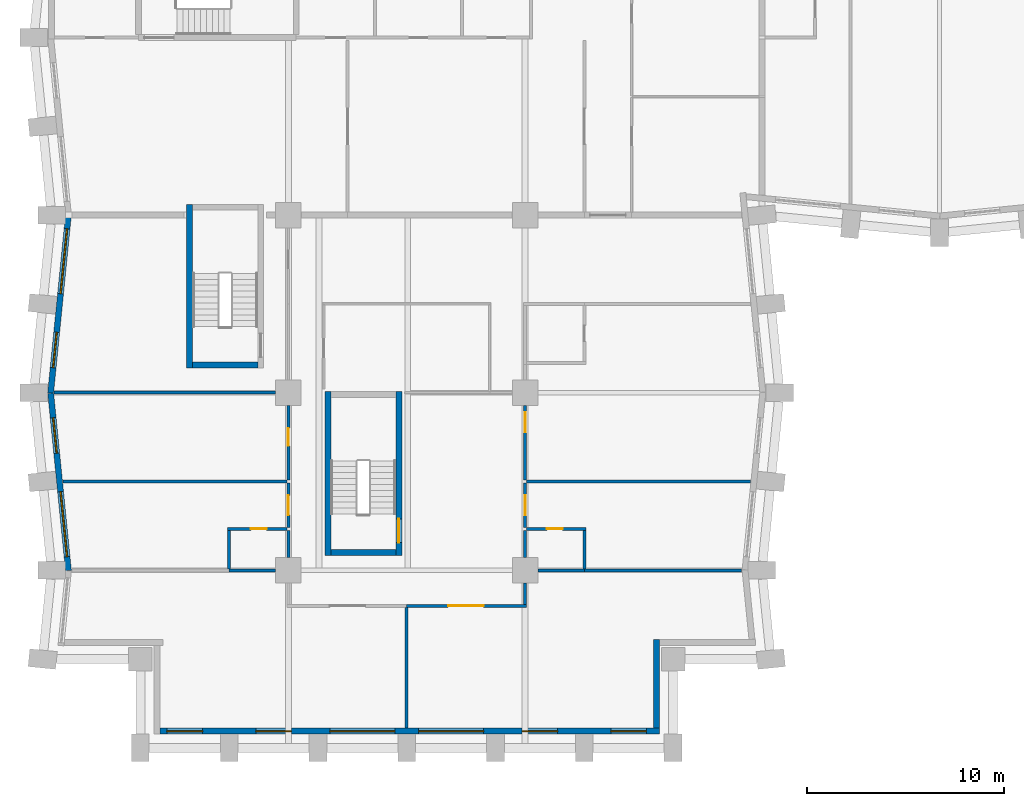
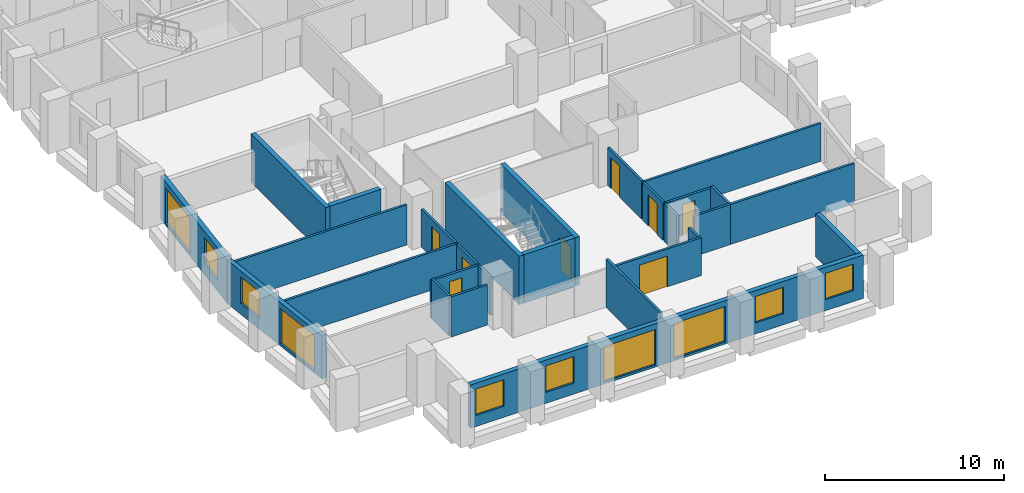
# One storey, part 3 of 12: 28 walls, 10 windows, 8 doors, 18 openings.
"""IFC4 building model written with IfcOpenShell, lengths in metres."""

from ifc_helpers import new_model, si_unit, direction, frame, frame_2d, origin, place, context, subcontext, project, spatial, rectangle, extrude, material, layer, layer_set, type_object, element, fill, save


model = new_model("IFC4")

# Units and contexts
model_context = context("Model", 3, precision=1e-05, world=origin(), true_north=direction((0.0, 1.0)))
body_context = subcontext(model_context, "Body", "Model", "MODEL_VIEW")
ifc_project = project(units=[si_unit("LENGTHUNIT", "METRE"), si_unit("AREAUNIT", "SQUARE_METRE"), si_unit("VOLUMEUNIT", "CUBIC_METRE"), si_unit("PLANEANGLEUNIT", "RADIAN"), si_unit("MASSUNIT", "GRAM", prefix="KILO")], contexts=[model_context])

# Site, building, storey
site_placement = place(None, origin())
site = spatial("IfcSite", under=ifc_project, at=site_placement, CompositionType="ELEMENT")
building_placement = place(site_placement, origin())
building = spatial("IfcBuilding", under=site, at=building_placement, Name="Brondeck Convention Tower", CompositionType="ELEMENT")
storey_placement = place(building_placement, frame((0.0, 0.0, 62.699951171875)))
storey = spatial("IfcBuildingStorey", under=building, at=storey_placement, Name="L13", CompositionType="ELEMENT", Elevation=62.699951171875)

# Wall, openings, windows
ifc_material_1 = material(Name="Precast concrete C50/60 bronze finish", Category="concrete")
ifc_layer_1 = layer(ifc_material_1, 0.070068359375, Name="Bronze precast facing")
ifc_material_2 = material(Name="Mineral wool")
ifc_layer_2 = layer(ifc_material_2, 0.159912109375, Name="Insulation")
ifc_material_3 = material(Name="Concrete C35/45", Category="concrete")
ifc_layer_3 = layer(ifc_material_3, 0.070068359375, Name="Backing")
ifc_layer_set_1 = layer_set([ifc_layer_1, ifc_layer_2, ifc_layer_3], Name="External infill wall, precast concrete C50/60 bronze facing")
wall_type_1 = type_object("IfcWallType", Name="External infill wall, precast concrete C50/60 bronze facing", PredefinedType="SOLIDWALL", material=ifc_layer_set_1)
wall_1_placement = place(storey_placement, frame((30.800048828125, 0.85009765625, 0.0), z_axis=(0.0, 0.0, 1.0), x_axis=(-1.0, 0.0, 0.0)))
wall_1 = element("IfcWall", 1, at=wall_1_placement, inside=storey, type_object=wall_type_1, Name="ENV-EW-L13-P0-B-S0-01", PredefinedType="SOLIDWALL", context=body_context, shape_type="SweptSolid", body=[
    extrude(rectangle(XDim=25.300048828125, YDim=0.300048828125, at=frame_2d((12.64990234375, 0.0))), origin(), (0.0, 0.0, 1.0), 2.949951171875),
])
opening_1_placement = place(wall_1_placement, frame((0.64990234375, 0.0, 0.75)))
opening_1 = element("IfcOpeningElement", 2, at=opening_1_placement, cuts=wall_1, Name="Opening W10", PredefinedType="OPENING", context=body_context, shape_type="SweptSolid", body=[
    extrude(rectangle(XDim=1.800048828125, YDim=1.800048828125, at=frame_2d((0.89990234375, 0.89990234375))), frame((0.0, 0.159912109375, 0.0), z_axis=(0.0, -1.0, 0.0), x_axis=(1.0, 0.0, 0.0)), (0.0, 0.0, 1.0), 0.320068359375),
])
opening_2_placement = place(wall_1_placement, frame((5.14990234375, 0.0, 0.75)))
opening_2 = element("IfcOpeningElement", 3, at=opening_2_placement, cuts=wall_1, Name="Opening W10", PredefinedType="OPENING", context=body_context, shape_type="SweptSolid", body=[
    extrude(rectangle(XDim=1.800048828125, YDim=1.800048828125, at=frame_2d((0.89990234375, 0.89990234375))), frame((0.0, 0.159912109375, 0.0), z_axis=(0.0, -1.0, 0.0), x_axis=(1.0, 0.0, 0.0)), (0.0, 0.0, 1.0), 0.320068359375),
])
opening_3_placement = place(wall_1_placement, frame((8.89990234375, 0.0, 0.14990234375)))
opening_3 = element("IfcOpeningElement", 4, at=opening_3_placement, cuts=wall_1, Name="Opening W9", PredefinedType="OPENING", context=body_context, shape_type="SweptSolid", body=[
    extrude(rectangle(XDim=3.300048828125, YDim=2.39990234375, at=frame_2d((1.64990234375, 1.199951171875))), frame((0.0, 0.159912109375, 0.0), z_axis=(0.0, -1.0, 0.0), x_axis=(1.0, 0.0, 0.0)), (0.0, 0.0, 1.0), 0.320068359375),
])
opening_4_placement = place(wall_1_placement, frame((13.39990234375, 0.0, 0.14990234375)))
opening_4 = element("IfcOpeningElement", 5, at=opening_4_placement, cuts=wall_1, Name="Opening W9", PredefinedType="OPENING", context=body_context, shape_type="SweptSolid", body=[
    extrude(rectangle(XDim=3.300048828125, YDim=2.39990234375, at=frame_2d((1.64990234375, 1.199951171875))), frame((0.0, 0.159912109375, 0.0), z_axis=(0.0, -1.0, 0.0), x_axis=(1.0, 0.0, 0.0)), (0.0, 0.0, 1.0), 0.320068359375),
])
opening_5_placement = place(wall_1_placement, frame((18.64990234375, 0.0, 0.75)))
opening_5 = element("IfcOpeningElement", 6, at=opening_5_placement, cuts=wall_1, Name="Opening W10", PredefinedType="OPENING", context=body_context, shape_type="SweptSolid", body=[
    extrude(rectangle(XDim=1.800048828125, YDim=1.800048828125, at=frame_2d((0.89990234375, 0.89990234375))), frame((0.0, 0.159912109375, 0.0), z_axis=(0.0, -1.0, 0.0), x_axis=(1.0, 0.0, 0.0)), (0.0, 0.0, 1.0), 0.320068359375),
])
opening_6_placement = place(wall_1_placement, frame((23.14990234375, 0.0, 0.75)))
opening_6 = element("IfcOpeningElement", 7, at=opening_6_placement, cuts=wall_1, Name="Opening W10", PredefinedType="OPENING", context=body_context, shape_type="SweptSolid", body=[
    extrude(rectangle(XDim=1.800048828125, YDim=1.800048828125, at=frame_2d((0.89990234375, 0.89990234375))), frame((0.0, 0.159912109375, 0.0), z_axis=(0.0, -1.0, 0.0), x_axis=(1.0, 0.0, 0.0)), (0.0, 0.0, 1.0), 0.320068359375),
])
ifc_material_4 = material(Name="Bronze tinted double glazing", Category="glass")
window_type_1 = type_object("IfcWindowType", Name="Glazed flute window, bronze tinted", PartitioningType="SINGLE_PANEL", PredefinedType="WINDOW", material=ifc_material_4)
window_1_placement = place(opening_3_placement, origin())
window_1 = element("IfcWindow", 8, at=window_1_placement, inside=storey, type_object=window_type_1, Name="ENV-WN-L13-P0-B-S0-04", OverallHeight=2.39990234375, OverallWidth=3.300048828125, PartitioningType="SINGLE_PANEL", PredefinedType="WINDOW", context=body_context, shape_type="SweptSolid", body=[
    extrude(rectangle(XDim=3.300048828125, YDim=2.39990234375, at=frame_2d((1.64990234375, 1.199951171875))), frame((0.0, 0.030029296875, 0.0), z_axis=(0.0, -1.0, 0.0), x_axis=(1.0, 0.0, 0.0)), (0.0, 0.0, 1.0), 0.06005859375),
])
fill(opening_3, window_1)
window_2_placement = place(opening_4_placement, origin())
window_2 = element("IfcWindow", 9, at=window_2_placement, inside=storey, type_object=window_type_1, Name="ENV-WN-L13-P0-B-S0-03", OverallHeight=2.39990234375, OverallWidth=3.300048828125, PartitioningType="SINGLE_PANEL", PredefinedType="WINDOW", context=body_context, shape_type="SweptSolid", body=[
    extrude(rectangle(XDim=3.300048828125, YDim=2.39990234375, at=frame_2d((1.64990234375, 1.199951171875))), frame((0.0, 0.030029296875, 0.0), z_axis=(0.0, -1.0, 0.0), x_axis=(1.0, 0.0, 0.0)), (0.0, 0.0, 1.0), 0.06005859375),
])
fill(opening_4, window_2)
window_type_2 = type_object("IfcWindowType", Name="Punched window, bronze tinted", PartitioningType="SINGLE_PANEL", PredefinedType="WINDOW", material=ifc_material_4)
window_3_placement = place(opening_1_placement, origin())
window_3 = element("IfcWindow", 10, at=window_3_placement, inside=storey, type_object=window_type_2, Name="ENV-WN-L13-P0-B-S0-06", OverallHeight=1.800048828125, OverallWidth=1.800048828125, PartitioningType="SINGLE_PANEL", PredefinedType="WINDOW", context=body_context, shape_type="SweptSolid", body=[
    extrude(rectangle(XDim=1.800048828125, YDim=1.800048828125, at=frame_2d((0.89990234375, 0.89990234375))), frame((0.0, 0.030029296875, 0.0), z_axis=(0.0, -1.0, 0.0), x_axis=(1.0, 0.0, 0.0)), (0.0, 0.0, 1.0), 0.06005859375),
])
fill(opening_1, window_3)
window_4_placement = place(opening_2_placement, origin())
window_4 = element("IfcWindow", 11, at=window_4_placement, inside=storey, type_object=window_type_2, Name="ENV-WN-L13-P0-B-S0-05", OverallHeight=1.800048828125, OverallWidth=1.800048828125, PartitioningType="SINGLE_PANEL", PredefinedType="WINDOW", context=body_context, shape_type="SweptSolid", body=[
    extrude(rectangle(XDim=1.800048828125, YDim=1.800048828125, at=frame_2d((0.89990234375, 0.89990234375))), frame((0.0, 0.030029296875, 0.0), z_axis=(0.0, -1.0, 0.0), x_axis=(1.0, 0.0, 0.0)), (0.0, 0.0, 1.0), 0.06005859375),
])
fill(opening_2, window_4)
window_5_placement = place(opening_5_placement, origin())
window_5 = element("IfcWindow", 12, at=window_5_placement, inside=storey, type_object=window_type_2, Name="ENV-WN-L13-P0-B-S0-02", OverallHeight=1.800048828125, OverallWidth=1.800048828125, PartitioningType="SINGLE_PANEL", PredefinedType="WINDOW", context=body_context, shape_type="SweptSolid", body=[
    extrude(rectangle(XDim=1.800048828125, YDim=1.800048828125, at=frame_2d((0.89990234375, 0.89990234375))), frame((0.0, 0.030029296875, 0.0), z_axis=(0.0, -1.0, 0.0), x_axis=(1.0, 0.0, 0.0)), (0.0, 0.0, 1.0), 0.06005859375),
])
fill(opening_5, window_5)
window_6_placement = place(opening_6_placement, origin())
window_6 = element("IfcWindow", 13, at=window_6_placement, inside=storey, type_object=window_type_2, Name="ENV-WN-L13-P0-B-S0-01", OverallHeight=1.800048828125, OverallWidth=1.800048828125, PartitioningType="SINGLE_PANEL", PredefinedType="WINDOW", context=body_context, shape_type="SweptSolid", body=[
    extrude(rectangle(XDim=1.800048828125, YDim=1.800048828125, at=frame_2d((0.89990234375, 0.89990234375))), frame((0.0, 0.030029296875, 0.0), z_axis=(0.0, -1.0, 0.0), x_axis=(1.0, 0.0, 0.0)), (0.0, 0.0, 1.0), 0.06005859375),
])
fill(opening_6, window_6)

# Wall
wall_2_placement = place(storey_placement, frame((30.64990234375, 5.5, 0.0), z_axis=(0.0, 0.0, 1.0), x_axis=(0.0, -1.0, 0.0)))
element("IfcWall", 14, at=wall_2_placement, inside=storey, type_object=wall_type_1, Name="ENV-EW-L13-P0-NC-SEB0-01", PredefinedType="SOLIDWALL", context=body_context, shape_type="SweptSolid", body=[
    extrude(rectangle(XDim=4.501953125, YDim=0.300048828125, at=frame_2d((2.2509765625, 0.0))), origin(), (0.0, 0.0, 1.0), 2.949951171875),
])

# Wall, openings, windows
wall_3_placement = place(storey_placement, frame((-0.04736328125, 17.985107421875, 0.0), z_axis=(0.0, 0.0, 1.0), x_axis=(0.099522457379, 0.995035316196, 0.0)))
wall_3 = element("IfcWall", 15, at=wall_3_placement, inside=storey, type_object=wall_type_1, Name="ENV-EW-L13-P0-B-W-08", PredefinedType="SOLIDWALL", context=body_context, shape_type="SweptSolid", body=[
    extrude(rectangle(XDim=9.030029296875, YDim=0.300048828125, at=frame_2d((4.51513671875, 0.0))), origin(), (0.0, 0.0, 1.0), 2.949951171875),
])
opening_7_placement = place(wall_3_placement, frame((1.291259765625, 0.0, 0.75)))
opening_7 = element("IfcOpeningElement", 16, at=opening_7_placement, cuts=wall_3, Name="Opening W10", PredefinedType="OPENING", context=body_context, shape_type="SweptSolid", body=[
    extrude(rectangle(XDim=1.800048828125, YDim=1.800048828125, at=frame_2d((0.89990234375, 0.89990234375))), frame((0.0, 0.159912109375, 0.0), z_axis=(0.0, -1.0, 0.0), x_axis=(1.0, 0.0, 0.0)), (0.0, 0.0, 1.0), 0.320068359375),
])
opening_8_placement = place(wall_3_placement, frame((5.063720703125, 0.0, 0.14990234375)))
opening_8 = element("IfcOpeningElement", 17, at=opening_8_placement, cuts=wall_3, Name="Opening W9", PredefinedType="OPENING", context=body_context, shape_type="SweptSolid", body=[
    extrude(rectangle(XDim=3.300048828125, YDim=2.39990234375, at=frame_2d((1.64990234375, 1.199951171875))), frame((0.0, 0.159912109375, 0.0), z_axis=(0.0, -1.0, 0.0), x_axis=(1.0, 0.0, 0.0)), (0.0, 0.0, 1.0), 0.320068359375),
])
window_7_placement = place(opening_8_placement, origin())
window_7 = element("IfcWindow", 18, at=window_7_placement, inside=storey, type_object=window_type_1, Name="ENV-WN-L13-P0-B-W-08", OverallHeight=2.39990234375, OverallWidth=3.300048828125, PartitioningType="SINGLE_PANEL", PredefinedType="WINDOW", context=body_context, shape_type="SweptSolid", body=[
    extrude(rectangle(XDim=3.300048828125, YDim=2.39990234375, at=frame_2d((1.64990234375, 1.199951171875))), frame((0.0, 0.030029296875, 0.0), z_axis=(0.0, -1.0, 0.0), x_axis=(1.0, 0.0, 0.0)), (0.0, 0.0, 1.0), 0.06005859375),
])
fill(opening_8, window_7)
window_8_placement = place(opening_7_placement, origin())
window_8 = element("IfcWindow", 19, at=window_8_placement, inside=storey, type_object=window_type_2, Name="ENV-WN-L13-P0-B-W-09", OverallHeight=1.800048828125, OverallWidth=1.800048828125, PartitioningType="SINGLE_PANEL", PredefinedType="WINDOW", context=body_context, shape_type="SweptSolid", body=[
    extrude(rectangle(XDim=1.800048828125, YDim=1.800048828125, at=frame_2d((0.89990234375, 0.89990234375))), frame((0.0, 0.030029296875, 0.0), z_axis=(0.0, -1.0, 0.0), x_axis=(1.0, 0.0, 0.0)), (0.0, 0.0, 1.0), 0.06005859375),
])
fill(opening_7, window_8)

wall_4_placement = place(storey_placement, frame((0.855712890625, 8.985107421875, 0.0), z_axis=(0.0, 0.0, 1.0), x_axis=(-0.099495688264, 0.995037993253, 0.0)))
wall_4 = element("IfcWall", 20, at=wall_4_placement, inside=storey, type_object=wall_type_1, Name="ENV-EW-L13-P0-B-W-10", PredefinedType="SOLIDWALL", context=body_context, shape_type="SweptSolid", body=[
    extrude(rectangle(XDim=9.030029296875, YDim=0.300048828125, at=frame_2d((4.51513671875, 0.0))), origin(), (0.0, 0.0, 1.0), 2.949951171875),
])
opening_9_placement = place(wall_4_placement, frame((0.711181640625, 0.0, 0.14990234375)))
opening_9 = element("IfcOpeningElement", 21, at=opening_9_placement, cuts=wall_4, Name="Opening W9", PredefinedType="OPENING", context=body_context, shape_type="SweptSolid", body=[
    extrude(rectangle(XDim=3.300048828125, YDim=2.39990234375, at=frame_2d((1.64990234375, 1.199951171875))), frame((0.0, 0.159912109375, 0.0), z_axis=(0.0, -1.0, 0.0), x_axis=(1.0, 0.0, 0.0)), (0.0, 0.0, 1.0), 0.320068359375),
])
opening_10_placement = place(wall_4_placement, frame((5.983642578125, 0.0, 0.75)))
opening_10 = element("IfcOpeningElement", 22, at=opening_10_placement, cuts=wall_4, Name="Opening W10", PredefinedType="OPENING", context=body_context, shape_type="SweptSolid", body=[
    extrude(rectangle(XDim=1.800048828125, YDim=1.800048828125, at=frame_2d((0.89990234375, 0.89990234375))), frame((0.0, 0.159912109375, 0.0), z_axis=(0.0, -1.0, 0.0), x_axis=(1.0, 0.0, 0.0)), (0.0, 0.0, 1.0), 0.320068359375),
])
window_9_placement = place(opening_9_placement, origin())
window_9 = element("IfcWindow", 23, at=window_9_placement, inside=storey, type_object=window_type_1, Name="ENV-WN-L13-P0-B-W-11", OverallHeight=2.39990234375, OverallWidth=3.300048828125, PartitioningType="SINGLE_PANEL", PredefinedType="WINDOW", context=body_context, shape_type="SweptSolid", body=[
    extrude(rectangle(XDim=3.300048828125, YDim=2.39990234375, at=frame_2d((1.64990234375, 1.199951171875))), frame((0.0, 0.030029296875, 0.0), z_axis=(0.0, -1.0, 0.0), x_axis=(1.0, 0.0, 0.0)), (0.0, 0.0, 1.0), 0.06005859375),
])
fill(opening_9, window_9)
window_10_placement = place(opening_10_placement, origin())
window_10 = element("IfcWindow", 24, at=window_10_placement, inside=storey, type_object=window_type_2, Name="ENV-WN-L13-P0-B-W-10", OverallHeight=1.800048828125, OverallWidth=1.800048828125, PartitioningType="SINGLE_PANEL", PredefinedType="WINDOW", context=body_context, shape_type="SweptSolid", body=[
    extrude(rectangle(XDim=1.800048828125, YDim=1.800048828125, at=frame_2d((0.89990234375, 0.89990234375))), frame((0.0, 0.030029296875, 0.0), z_axis=(0.0, -1.0, 0.0), x_axis=(1.0, 0.0, 0.0)), (0.0, 0.0, 1.0), 0.06005859375),
])
fill(opening_10, window_10)

# Wall
ifc_material_5 = material(Name="Double gypsum board acoustic wall")
ifc_layer_4 = layer(ifc_material_5, 0.14990234375)
ifc_layer_set_2 = layer_set([ifc_layer_4], Name="Guest room party wall 150")
wall_type_2 = type_object("IfcWallType", Name="Guest room party wall 150", PredefinedType="PARTITIONING", material=ifc_layer_set_2)
wall_5_placement = place(storey_placement, frame((18.0, 7.125, 0.0), z_axis=(0.0, 0.0, 1.0), x_axis=(0.0, -1.0, 0.0)))
element("IfcWall", 25, at=wall_5_placement, inside=storey, type_object=wall_type_2, Name="FLR-L13-W001", PredefinedType="PARTITIONING", context=body_context, shape_type="SweptSolid", body=[
    extrude(rectangle(XDim=6.10498046875, YDim=0.14990234375, at=frame_2d((3.052490234375, 0.0))), origin(), (0.0, 0.0, 1.0), 3.280029296875),
])

# Wall, opening, door
wall_6_placement = place(storey_placement, frame((24.074951171875, 7.199951171875, 0.0), z_axis=(0.0, 0.0, 1.0), x_axis=(-1.0, 0.0, 0.0)))
wall_6 = element("IfcWall", 26, at=wall_6_placement, inside=storey, type_object=wall_type_2, Name="FLR-L13-W003", PredefinedType="PARTITIONING", context=body_context, shape_type="SweptSolid", body=[
    extrude(rectangle(XDim=6.074951171875, YDim=0.14990234375, at=frame_2d((3.03759765625, 0.0))), origin(), (0.0, 0.0, 1.0), 2.580078125),
])
opening_11_placement = place(wall_6_placement, frame((2.175048828125, 0.0, 0.0)))
opening_11 = element("IfcOpeningElement", 27, at=opening_11_placement, cuts=wall_6, Name="Opening H3-032", PredefinedType="OPENING", context=body_context, shape_type="SweptSolid", body=[
    extrude(rectangle(XDim=1.800048828125, YDim=2.10009765625, at=frame_2d((0.89990234375, 1.050048828125))), frame((0.0, 0.0849609375, 0.0), z_axis=(0.0, -1.0, 0.0), x_axis=(1.0, 0.0, 0.0)), (0.0, 0.0, 1.0), 0.169921875),
])
ifc_material_6 = material(Name="Glazed timber double door", Category="wood")
door_type_1 = type_object("IfcDoorType", Name="Double door 1800", OperationType="DOUBLE_DOOR_SINGLE_SWING", PredefinedType="DOOR", material=ifc_material_6)
door_1_placement = place(opening_11_placement, origin())
door_1 = element("IfcDoor", 28, at=door_1_placement, inside=storey, type_object=door_type_1, Name="Door H3-032", OperationType="DOUBLE_DOOR_SINGLE_SWING", OverallHeight=2.10009765625, OverallWidth=1.800048828125, PredefinedType="DOOR", context=body_context, shape_type="SweptSolid", body=[
    extrude(rectangle(XDim=1.800048828125, YDim=2.10009765625, at=frame_2d((0.89990234375, 1.050048828125))), frame((0.0, 0.02490234375, 0.0), z_axis=(0.0, -1.0, 0.0), x_axis=(1.0, 0.0, 0.0)), (0.0, 0.0, 1.0), 0.050048828125),
])
fill(opening_11, door_1)

# Walls
wall_7_placement = place(storey_placement, frame((24.0, 8.344970703125, 0.0), z_axis=(0.0, 0.0, 1.0), x_axis=(0.0, -1.0, 0.0)))
element("IfcWall", 29, at=wall_7_placement, inside=storey, type_object=wall_type_2, Name="FLR-L13-W005", PredefinedType="PARTITIONING", context=body_context, shape_type="SweptSolid", body=[
    extrude(rectangle(XDim=1.070068359375, YDim=0.14990234375, at=frame_2d((0.53515625, 0.0))), origin(), (0.0, 0.0, 1.0), 2.580078125),
])
for number, where, z_axis, x_axis, name in (
    (30, (11.344970703125, 9.0, 0.0), (0.0, 0.0, 1.0), (-1.0, 0.0, 0.0), "FLR-L13-W007"),
    (31, (27.0, 9.0, 0.0), (0.0, 0.0, 1.0), (-1.0, 0.0, 0.0), "FLR-L13-W008"),
):
    element("IfcWall", number, at=place(storey_placement, frame(where, z_axis=z_axis, x_axis=x_axis)), inside=storey, type_object=wall_type_2, Name=name, PredefinedType="PARTITIONING", context=body_context, shape_type="SweptSolid", body=[
        extrude(rectangle(XDim=2.344970703125, YDim=0.14990234375, at=frame_2d((1.17236328125, 0.0))), origin(), (0.0, 0.0, 1.0), 2.72998046875),
    ])
wall_8_placement = place(storey_placement, frame((34.97509765625, 9.0, 0.0), z_axis=(0.0, 0.0, 1.0), x_axis=(-1.0, 0.0, 0.0)))
element("IfcWall", 32, at=wall_8_placement, inside=storey, type_object=wall_type_2, Name="FLR-L13-W009", PredefinedType="PARTITIONING", context=body_context, shape_type="SweptSolid", body=[
    extrude(rectangle(XDim=7.97509765625, YDim=0.14990234375, at=frame_2d((3.987548828125, 0.0))), origin(), (0.0, 0.0, 1.0), 2.72998046875),
])
wall_9_placement = place(storey_placement, frame((27.0, 9.074951171875, 0.0), z_axis=(0.0, 0.0, 1.0), x_axis=(0.0, 1.0, 0.0)))
element("IfcWall", 33, at=wall_9_placement, inside=storey, type_object=wall_type_2, Name="FLR-L13-W010", PredefinedType="PARTITIONING", context=body_context, shape_type="SweptSolid", body=[
    extrude(rectangle(XDim=1.949951171875, YDim=0.14990234375, at=frame_2d((0.97509765625, 0.0))), origin(), (0.0, 0.0, 1.0), 2.72998046875),
])
wall_10_placement = place(storey_placement, frame((12.0, 9.655029296875, 0.0), z_axis=(0.0, 0.0, 1.0), x_axis=(0.0, 1.0, 0.0)))
element("IfcWall", 34, at=wall_10_placement, inside=storey, type_object=wall_type_2, Name="FLR-L13-W011", PredefinedType="PARTITIONING", context=body_context, shape_type="SweptSolid", body=[
    extrude(rectangle(XDim=1.369873046875, YDim=0.14990234375, at=frame_2d((0.68505859375, 0.0))), origin(), (0.0, 0.0, 1.0), 2.580078125),
])
wall_11_placement = place(storey_placement, frame((9.0, 11.02490234375, 0.0), z_axis=(0.0, 0.0, 1.0), x_axis=(0.0, -1.0, 0.0)))
element("IfcWall", 35, at=wall_11_placement, inside=storey, type_object=wall_type_2, Name="FLR-L13-W012", PredefinedType="PARTITIONING", context=body_context, shape_type="SweptSolid", body=[
    extrude(rectangle(XDim=1.949951171875, YDim=0.14990234375, at=frame_2d((0.97509765625, 0.0))), origin(), (0.0, 0.0, 1.0), 2.72998046875),
])
wall_12_placement = place(storey_placement, frame((24.0, 11.02490234375, 0.0), z_axis=(0.0, 0.0, 1.0), x_axis=(0.0, -1.0, 0.0)))
element("IfcWall", 36, at=wall_12_placement, inside=storey, type_object=wall_type_2, Name="FLR-L13-W013", PredefinedType="PARTITIONING", context=body_context, shape_type="SweptSolid", body=[
    extrude(rectangle(XDim=1.369873046875, YDim=0.14990234375, at=frame_2d((0.68505859375, 0.0))), origin(), (0.0, 0.0, 1.0), 2.580078125),
])

# Wall, opening, door
wall_13_placement = place(storey_placement, frame((11.925048828125, 11.10009765625, 0.0), z_axis=(0.0, 0.0, 1.0), x_axis=(-1.0, 0.0, 0.0)))
wall_13 = element("IfcWall", 37, at=wall_13_placement, inside=storey, type_object=wall_type_2, Name="FLR-L13-W014", PredefinedType="PARTITIONING", context=body_context, shape_type="SweptSolid", body=[
    extrude(rectangle(XDim=3.0, YDim=0.14990234375, at=frame_2d((1.5, 0.0))), origin(), (0.0, 0.0, 1.0), 2.580078125),
])
opening_12_placement = place(wall_13_placement, frame((1.02490234375, 0.0, 0.0)))
opening_12 = element("IfcOpeningElement", 38, at=opening_12_placement, cuts=wall_13, Name="Opening H3-025", PredefinedType="OPENING", context=body_context, shape_type="SweptSolid", body=[
    extrude(rectangle(XDim=0.800048828125, YDim=2.10009765625, at=frame_2d((0.39990234375, 1.050048828125))), frame((0.0, 0.0849609375, 0.0), z_axis=(0.0, -1.0, 0.0), x_axis=(1.0, 0.0, 0.0)), (0.0, 0.0, 1.0), 0.169921875),
])
ifc_material_7 = material(Name="Solid timber door leaf", Category="wood")
door_type_2 = type_object("IfcDoorType", Name="En-suite door 800", OperationType="NOTDEFINED", PredefinedType="DOOR", material=ifc_material_7)
door_2_placement = place(opening_12_placement, origin())
door_2 = element("IfcDoor", 39, at=door_2_placement, inside=storey, type_object=door_type_2, Name="Door H3-025", OperationType="SINGLE_SWING_LEFT", OverallHeight=2.10009765625, OverallWidth=0.800048828125, PredefinedType="DOOR", context=body_context, shape_type="SweptSolid", body=[
    extrude(rectangle(XDim=0.800048828125, YDim=2.10009765625, at=frame_2d((0.39990234375, 1.050048828125))), frame((0.0, 0.02490234375, 0.0), z_axis=(0.0, -1.0, 0.0), x_axis=(1.0, 0.0, 0.0)), (0.0, 0.0, 1.0), 0.050048828125),
])
fill(opening_12, door_2)

wall_14_placement = place(storey_placement, frame((27.074951171875, 11.10009765625, 0.0), z_axis=(0.0, 0.0, 1.0), x_axis=(-1.0, 0.0, 0.0)))
wall_14 = element("IfcWall", 40, at=wall_14_placement, inside=storey, type_object=wall_type_2, Name="FLR-L13-W015", PredefinedType="PARTITIONING", context=body_context, shape_type="SweptSolid", body=[
    extrude(rectangle(XDim=3.0, YDim=0.14990234375, at=frame_2d((1.5, 0.0))), origin(), (0.0, 0.0, 1.0), 2.580078125),
])
opening_13_placement = place(wall_14_placement, frame((1.175048828125, 0.0, 0.0)))
opening_13 = element("IfcOpeningElement", 41, at=opening_13_placement, cuts=wall_14, Name="Opening H3-029", PredefinedType="OPENING", context=body_context, shape_type="SweptSolid", body=[
    extrude(rectangle(XDim=0.800048828125, YDim=2.10009765625, at=frame_2d((0.39990234375, 1.050048828125))), frame((0.0, 0.0849609375, 0.0), z_axis=(0.0, -1.0, 0.0), x_axis=(1.0, 0.0, 0.0)), (0.0, 0.0, 1.0), 0.169921875),
])
door_3_placement = place(opening_13_placement, origin())
door_3 = element("IfcDoor", 42, at=door_3_placement, inside=storey, type_object=door_type_2, Name="Door H3-029", OperationType="SINGLE_SWING_LEFT", OverallHeight=2.10009765625, OverallWidth=0.800048828125, PredefinedType="DOOR", context=body_context, shape_type="SweptSolid", body=[
    extrude(rectangle(XDim=0.800048828125, YDim=2.10009765625, at=frame_2d((0.39990234375, 1.050048828125))), frame((0.0, 0.02490234375, 0.0), z_axis=(0.0, -1.0, 0.0), x_axis=(1.0, 0.0, 0.0)), (0.0, 0.0, 1.0), 0.050048828125),
])
fill(opening_13, door_3)

wall_15_placement = place(storey_placement, frame((12.0, 11.175048828125, 0.0), z_axis=(0.0, 0.0, 1.0), x_axis=(0.0, 1.0, 0.0)))
wall_15 = element("IfcWall", 43, at=wall_15_placement, inside=storey, type_object=wall_type_2, Name="FLR-L13-W016", PredefinedType="PARTITIONING", context=body_context, shape_type="SweptSolid", body=[
    extrude(rectangle(XDim=2.25, YDim=0.14990234375, at=frame_2d((1.125, 0.0))), origin(), (0.0, 0.0, 1.0), 2.580078125),
])
opening_14_placement = place(wall_15_placement, frame((0.625, 0.0, 0.0)))
opening_14 = element("IfcOpeningElement", 44, at=opening_14_placement, cuts=wall_15, Name="Opening H3-024", PredefinedType="OPENING", context=body_context, shape_type="SweptSolid", body=[
    extrude(rectangle(XDim=1.0, YDim=2.10009765625, at=frame_2d((0.5, 1.050048828125))), frame((0.0, 0.0849609375, 0.0), z_axis=(0.0, -1.0, 0.0), x_axis=(1.0, 0.0, 0.0)), (0.0, 0.0, 1.0), 0.169921875),
])
ifc_material_8 = material(Name="Solid timber fire door leaf", Category="wood")
door_type_3 = type_object("IfcDoorType", Name="Guest room door 1000", OperationType="NOTDEFINED", PredefinedType="DOOR", material=ifc_material_8)
door_4_placement = place(opening_14_placement, origin())
door_4 = element("IfcDoor", 45, at=door_4_placement, inside=storey, type_object=door_type_3, Name="Door H3-024", OperationType="SINGLE_SWING_LEFT", OverallHeight=2.10009765625, OverallWidth=1.0, PredefinedType="DOOR", context=body_context, shape_type="SweptSolid", body=[
    extrude(rectangle(XDim=1.0, YDim=2.10009765625, at=frame_2d((0.5, 1.050048828125))), frame((0.0, 0.02490234375, 0.0), z_axis=(0.0, -1.0, 0.0), x_axis=(1.0, 0.0, 0.0)), (0.0, 0.0, 1.0), 0.050048828125),
])
fill(opening_14, door_4)

wall_16_placement = place(storey_placement, frame((24.0, 13.425048828125, 0.0), z_axis=(0.0, 0.0, 1.0), x_axis=(0.0, -1.0, 0.0)))
wall_16 = element("IfcWall", 46, at=wall_16_placement, inside=storey, type_object=wall_type_2, Name="FLR-L13-W017", PredefinedType="PARTITIONING", context=body_context, shape_type="SweptSolid", body=[
    extrude(rectangle(XDim=2.25, YDim=0.14990234375, at=frame_2d((1.125, 0.0))), origin(), (0.0, 0.0, 1.0), 2.580078125),
])
opening_15_placement = place(wall_16_placement, frame((0.625, 0.0, 0.0)))
opening_15 = element("IfcOpeningElement", 47, at=opening_15_placement, cuts=wall_16, Name="Opening H3-028", PredefinedType="OPENING", context=body_context, shape_type="SweptSolid", body=[
    extrude(rectangle(XDim=1.0, YDim=2.10009765625, at=frame_2d((0.5, 1.050048828125))), frame((0.0, 0.0849609375, 0.0), z_axis=(0.0, -1.0, 0.0), x_axis=(1.0, 0.0, 0.0)), (0.0, 0.0, 1.0), 0.169921875),
])
door_5_placement = place(opening_15_placement, origin())
door_5 = element("IfcDoor", 48, at=door_5_placement, inside=storey, type_object=door_type_3, Name="Door H3-028", OperationType="SINGLE_SWING_LEFT", OverallHeight=2.10009765625, OverallWidth=1.0, PredefinedType="DOOR", context=body_context, shape_type="SweptSolid", body=[
    extrude(rectangle(XDim=1.0, YDim=2.10009765625, at=frame_2d((0.5, 1.050048828125))), frame((0.0, 0.02490234375, 0.0), z_axis=(0.0, -1.0, 0.0), x_axis=(1.0, 0.0, 0.0)), (0.0, 0.0, 1.0), 0.050048828125),
])
fill(opening_15, door_5)

# Walls
for number, where, z_axis, x_axis, name in (
    (49, (11.925048828125, 13.5, 0.0), (0.0, 0.0, 1.0), (-1.0, 0.0, 0.0), "FLR-L13-W018"),
    (50, (35.425048828125, 13.5, 0.0), (0.0, 0.0, 1.0), (-1.0, 0.0, 0.0), "FLR-L13-W019"),
):
    element("IfcWall", number, at=place(storey_placement, frame(where, z_axis=z_axis, x_axis=x_axis)), inside=storey, type_object=wall_type_2, Name=name, PredefinedType="PARTITIONING", context=body_context, shape_type="SweptSolid", body=[
        extrude(rectangle(XDim=11.35009765625, YDim=0.14990234375, at=frame_2d((5.675048828125, 0.0))), origin(), (0.0, 0.0, 1.0), 2.580078125),
    ])

# Wall, opening, door
wall_17_placement = place(storey_placement, frame((12.0, 13.574951171875, 0.0), z_axis=(0.0, 0.0, 1.0), x_axis=(0.0, 1.0, 0.0)))
wall_17 = element("IfcWall", 51, at=wall_17_placement, inside=storey, type_object=wall_type_2, Name="FLR-L13-W020", PredefinedType="PARTITIONING", context=body_context, shape_type="SweptSolid", body=[
    extrude(rectangle(XDim=3.77001953125, YDim=0.14990234375, at=frame_2d((1.885009765625, 0.0))), origin(), (0.0, 0.0, 1.0), 2.580078125),
])
opening_16_placement = place(wall_17_placement, frame((1.72509765625, 0.0, 0.0)))
opening_16 = element("IfcOpeningElement", 52, at=opening_16_placement, cuts=wall_17, Name="Opening H3-023", PredefinedType="OPENING", context=body_context, shape_type="SweptSolid", body=[
    extrude(rectangle(XDim=0.89990234375, YDim=2.10009765625, at=frame_2d((0.449951171875, 1.050048828125))), frame((0.0, 0.0849609375, 0.0), z_axis=(0.0, -1.0, 0.0), x_axis=(1.0, 0.0, 0.0)), (0.0, 0.0, 1.0), 0.169921875),
])
door_type_4 = type_object("IfcDoorType", Name="Single door 900", OperationType="NOTDEFINED", PredefinedType="DOOR", material=ifc_material_7)
door_6_placement = place(opening_16_placement, origin())
door_6 = element("IfcDoor", 53, at=door_6_placement, inside=storey, type_object=door_type_4, Name="Door H3-023", OperationType="SINGLE_SWING_LEFT", OverallHeight=2.10009765625, OverallWidth=0.89990234375, PredefinedType="DOOR", context=body_context, shape_type="SweptSolid", body=[
    extrude(rectangle(XDim=0.89990234375, YDim=2.10009765625, at=frame_2d((0.449951171875, 1.050048828125))), frame((0.0, 0.02490234375, 0.0), z_axis=(0.0, -1.0, 0.0), x_axis=(1.0, 0.0, 0.0)), (0.0, 0.0, 1.0), 0.050048828125),
])
fill(opening_16, door_6)

wall_18_placement = place(storey_placement, frame((24.0, 17.344970703125, 0.0), z_axis=(0.0, 0.0, 1.0), x_axis=(0.0, -1.0, 0.0)))
wall_18 = element("IfcWall", 54, at=wall_18_placement, inside=storey, type_object=wall_type_2, Name="FLR-L13-W021", PredefinedType="PARTITIONING", context=body_context, shape_type="SweptSolid", body=[
    extrude(rectangle(XDim=3.77001953125, YDim=0.14990234375, at=frame_2d((1.885009765625, 0.0))), origin(), (0.0, 0.0, 1.0), 2.580078125),
])
opening_17_placement = place(wall_18_placement, frame((0.344970703125, 0.0, 0.0)))
opening_17 = element("IfcOpeningElement", 55, at=opening_17_placement, cuts=wall_18, Name="Opening H3-026", PredefinedType="OPENING", context=body_context, shape_type="SweptSolid", body=[
    extrude(rectangle(XDim=1.0, YDim=2.10009765625, at=frame_2d((0.5, 1.050048828125))), frame((0.0, 0.0849609375, 0.0), z_axis=(0.0, -1.0, 0.0), x_axis=(1.0, 0.0, 0.0)), (0.0, 0.0, 1.0), 0.169921875),
])
door_7_placement = place(opening_17_placement, origin())
door_7 = element("IfcDoor", 56, at=door_7_placement, inside=storey, type_object=door_type_3, Name="Door H3-026", OperationType="SINGLE_SWING_RIGHT", OverallHeight=2.10009765625, OverallWidth=1.0, PredefinedType="DOOR", context=body_context, shape_type="SweptSolid", body=[
    extrude(rectangle(XDim=1.0, YDim=2.10009765625, at=frame_2d((0.5, 1.050048828125))), frame((0.0, 0.02490234375, 0.0), z_axis=(0.0, -1.0, 0.0), x_axis=(1.0, 0.0, 0.0)), (0.0, 0.0, 1.0), 0.050048828125),
])
fill(opening_17, door_7)

# Walls
wall_19_placement = place(storey_placement, frame((11.344970703125, 18.0, 0.0), z_axis=(0.0, 0.0, 1.0), x_axis=(-1.0, 0.0, 0.0)))
element("IfcWall", 57, at=wall_19_placement, inside=storey, type_object=wall_type_2, Name="FLR-L13-W022", PredefinedType="PARTITIONING", context=body_context, shape_type="SweptSolid", body=[
    extrude(rectangle(XDim=11.219970703125, YDim=0.14990234375, at=frame_2d((5.60986328125, 0.0))), origin(), (0.0, 0.0, 1.0), 2.72998046875),
])
ifc_material_9 = material(Name="Concrete C80/95", Category="concrete")
ifc_layer_5 = layer(ifc_material_9, 0.300048828125)
ifc_layer_set_3 = layer_set([ifc_layer_5], Name="Stair enclosure wall 300 Concrete C80/95")
wall_type_3 = type_object("IfcWallType", Name="Stair enclosure wall 300 Concrete C80/95", PredefinedType="SHEAR", material=ifc_layer_set_3)
for number, where, z_axis, x_axis, name in (
    (58, (14.14990234375, 9.89990234375, 0.0), (0.0, 0.0, 1.0), (1.0, 0.0, 0.0), "L13 core wall"),
    (59, (7.14990234375, 19.39990234375, 0.0), (0.0, 0.0, 1.0), (1.0, 0.0, 0.0), "L13 core wall"),
):
    element("IfcWall", number, at=place(storey_placement, frame(where, z_axis=z_axis, x_axis=x_axis)), inside=storey, type_object=wall_type_3, Name=name, PredefinedType="SHEAR", context=body_context, shape_type="SweptSolid", body=[
        extrude(rectangle(XDim=3.300048828125, YDim=0.300048828125, at=frame_2d((1.64990234375, 0.0))), origin(), (0.0, 0.0, 1.0), 3.300048828125),
    ])
for number, where, z_axis, x_axis, name in (
    (60, (7.0, 19.25, 0.0), (0.0, 0.0, 1.0), (0.0, 1.0, 0.0), "L13 core wall"),
    (61, (14.0, 9.75, 0.0), (0.0, 0.0, 1.0), (0.0, 1.0, 0.0), "L13 core wall"),
):
    element("IfcWall", number, at=place(storey_placement, frame(where, z_axis=z_axis, x_axis=x_axis)), inside=storey, type_object=wall_type_3, Name=name, PredefinedType="SHEAR", context=body_context, shape_type="SweptSolid", body=[
        extrude(rectangle(XDim=8.300048828125, YDim=0.300048828125, at=frame_2d((4.14990234375, 0.0))), origin(), (0.0, 0.0, 1.0), 3.300048828125),
    ])

# Wall, opening, door
wall_20_placement = place(storey_placement, frame((17.60009765625, 9.75, 0.0), z_axis=(0.0, 0.0, 1.0), x_axis=(0.0, 1.0, 0.0)))
wall_20 = element("IfcWall", 62, at=wall_20_placement, inside=storey, type_object=wall_type_3, Name="L13 core wall", PredefinedType="SHEAR", context=body_context, shape_type="SweptSolid", body=[
    extrude(rectangle(XDim=8.300048828125, YDim=0.300048828125, at=frame_2d((4.14990234375, 0.0))), origin(), (0.0, 0.0, 1.0), 3.300048828125),
])
opening_18_placement = place(wall_20_placement, frame((0.64990234375, 0.0, 0.0)))
opening_18 = element("IfcOpeningElement", 63, at=opening_18_placement, cuts=wall_20, Name="Opening C10-21", PredefinedType="OPENING", context=body_context, shape_type="SweptSolid", body=[
    extrude(rectangle(XDim=1.199951171875, YDim=2.199951171875, at=frame_2d((0.60009765625, 1.10009765625))), frame((0.0, 0.159912109375, 0.0), z_axis=(0.0, -1.0, 0.0), x_axis=(1.0, 0.0, 0.0)), (0.0, 0.0, 1.0), 0.320068359375),
])
ifc_material_10 = material(Name="Steel fire door", Category="steel")
door_type_5 = type_object("IfcDoorType", Name="Stair door 1200x2200 EI 90", OperationType="NOTDEFINED", PredefinedType="DOOR", material=ifc_material_10)
door_8_placement = place(opening_18_placement, origin())
door_8 = element("IfcDoor", 64, at=door_8_placement, inside=storey, type_object=door_type_5, Name="L13 Stair door ST-BF", OperationType="SINGLE_SWING_LEFT", OverallHeight=2.199951171875, OverallWidth=1.199951171875, PredefinedType="DOOR", context=body_context, shape_type="SweptSolid", body=[
    extrude(rectangle(XDim=1.199951171875, YDim=2.199951171875, at=frame_2d((0.60009765625, 1.10009765625))), frame((0.0, 0.02490234375, 0.0), z_axis=(0.0, -1.0, 0.0), x_axis=(1.0, 0.0, 0.0)), (0.0, 0.0, 1.0), 0.050048828125),
])
fill(opening_18, door_8)

save(model, "model.ifc")
